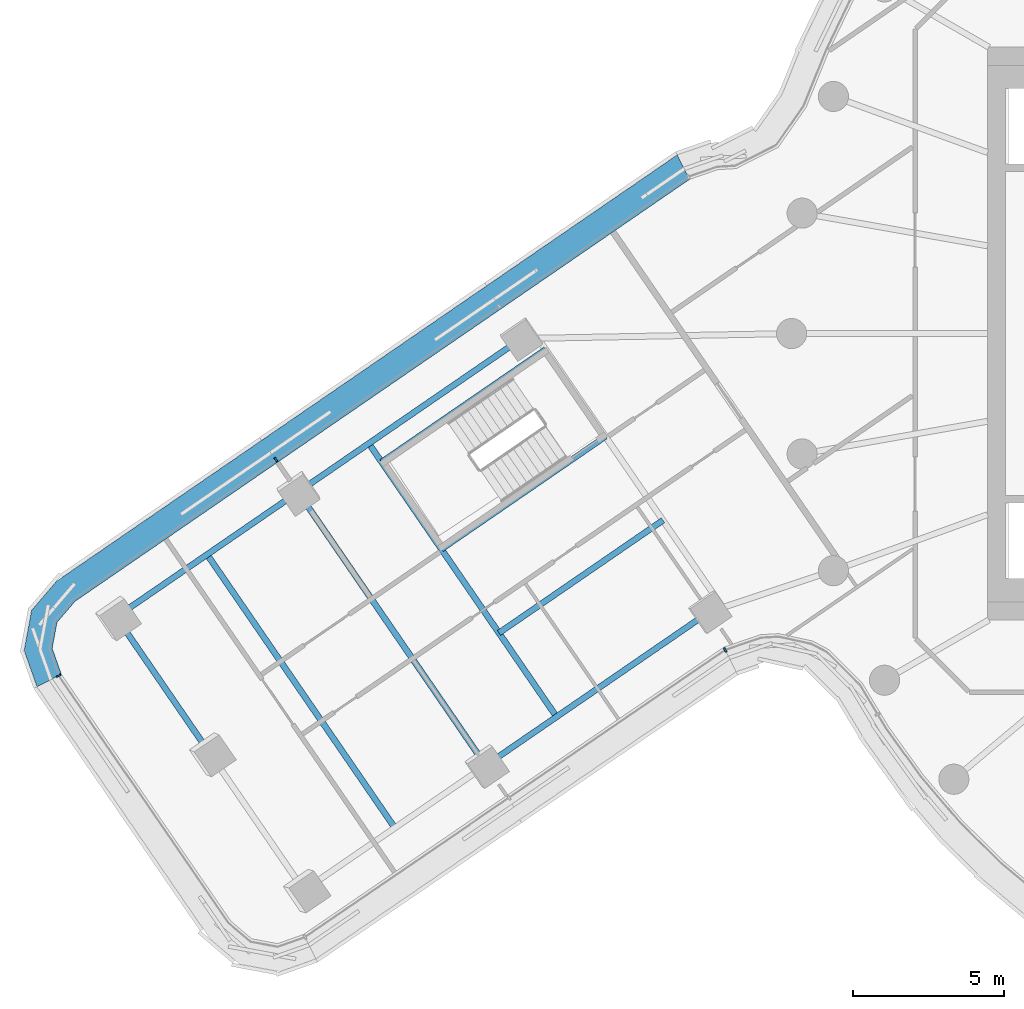
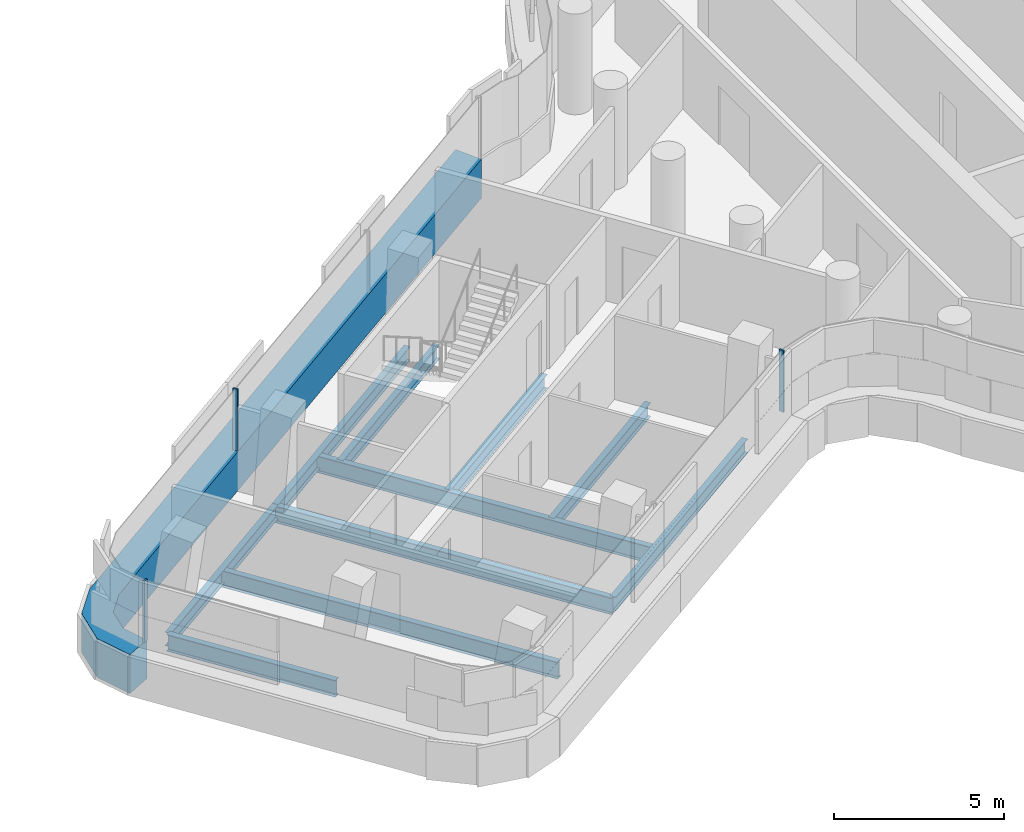
# One storey, part 8 of 33: 10 beams, 4 members, 3 elements without a shape of their own.
"""IFC4 building model written with IfcOpenShell, lengths in metres."""

from ifc_helpers import new_model, si_unit, direction, frame, origin, origin_2d, place, context, subcontext, project, spatial, polyline, rectangle, i_section, outline, extrude, material, layer, layer_set, material_profile, profile_set, type_object, element, aggregate, save


model = new_model("IFC4")

# Units and contexts
model_context = context("Model", 3, precision=1e-05, world=origin(), true_north=direction((0.0, 1.0)))
body_context = subcontext(model_context, "Body", "Model", "MODEL_VIEW")
ifc_project = project(units=[si_unit("LENGTHUNIT", "METRE"), si_unit("AREAUNIT", "SQUARE_METRE"), si_unit("VOLUMEUNIT", "CUBIC_METRE"), si_unit("PLANEANGLEUNIT", "RADIAN"), si_unit("MASSUNIT", "GRAM", prefix="KILO")], contexts=[model_context])

# Site, building, storey
site_placement = place(None, origin())
site = spatial("IfcSite", under=ifc_project, at=site_placement, CompositionType="ELEMENT")
building_placement = place(site_placement, origin())
building = spatial("IfcBuilding", under=site, at=building_placement, Name="Tamarind Cross Interchange Tower", CompositionType="ELEMENT")
storey_placement = place(building_placement, frame((0.0, 0.0, 159.25)))
storey = spatial("IfcBuildingStorey", under=building, at=storey_placement, Name="L39", CompositionType="ELEMENT", Elevation=159.25)

# Beams
ifc_material_1 = material(Name="Steel Q355B", Category="steel")
ifc_material_profile_1 = material_profile(ifc_material_1, i_section(OverallWidth=0.198974609375, OverallDepth=0.49609375, WebThickness=0.009033203125, FlangeThickness=0.013916015625, FilletRadius=0.012939453125, at=origin_2d()), Name="HN 496x199x9x14")
ifc_profile_set_1 = profile_set([ifc_material_profile_1], Name="Steel Q355B")
beam_type_1 = type_object("IfcBeamType", Name="Composite beam HN 496x199x9x14 Q355B", PredefinedType="BEAM", material=ifc_profile_set_1)
beam_1_placement = place(storey_placement, frame((-45.40576171875, -9.4013671875, -0.387939453125), z_axis=(0.824337792069, 0.566098228726, 0.0), x_axis=(-0.566098228726, 0.824337792069, 0.0)))
element("IfcBeam", 1, at=beam_1_placement, inside=storey, type_object=beam_type_1, Name="Beam W-edgeem5", PredefinedType="BEAM", context=body_context, shape_type="SweptSolid", body=[
    extrude(i_section(OverallWidth=0.198974609375, OverallDepth=0.49609375, WebThickness=0.009033203125, FlangeThickness=0.013916015625, FilletRadius=0.012939453125, at=origin_2d()), origin(), (0.0, 0.0, 1.0), 7.31640625),
])
beam_2_placement = place(storey_placement, frame((-39.37451171875, -5.259521484375, -0.387939453125), z_axis=(0.824342582244, 0.566091253332, 0.0), x_axis=(-0.566091253332, 0.824342582244, 0.0)))
element("IfcBeam", 2, at=beam_2_placement, inside=storey, type_object=beam_type_1, Name="Beam W-edgeem6", PredefinedType="BEAM", context=body_context, shape_type="SweptSolid", body=[
    extrude(i_section(OverallWidth=0.198974609375, OverallDepth=0.49609375, WebThickness=0.009033203125, FlangeThickness=0.013916015625, FilletRadius=0.012939453125, at=origin_2d()), origin(), (0.0, 0.0, 1.0), 8.999755859375),
])
beam_3_placement = place(storey_placement, frame((-33.1474609375, -14.327392578125, -0.387939453125), z_axis=(0.824329923221, 0.566109686972, 0.0), x_axis=(-0.566109686972, 0.824329923221, 0.0)))
element("IfcBeam", 3, at=beam_3_placement, inside=storey, type_object=beam_type_1, Name="Beam W-edgeep3", PredefinedType="BEAM", context=body_context, shape_type="SweptSolid", body=[
    extrude(i_section(OverallWidth=0.198974609375, OverallDepth=0.49609375, WebThickness=0.009033203125, FlangeThickness=0.013916015625, FilletRadius=0.012939453125, at=origin_2d()), origin(), (0.0, 0.0, 1.0), 9.0),
])
beam_4_placement = place(storey_placement, frame((-31.159912109375, -0.5283203125, -0.387939453125), z_axis=(-0.824351566529, -0.566078170186, 0.0), x_axis=(0.566078170186, -0.824351566529, 0.0)))
element("IfcBeam", 4, at=beam_4_placement, inside=storey, type_object=beam_type_1, Name="Beam W-tr0", PredefinedType="BEAM", context=body_context, shape_type="SweptSolid", body=[
    extrude(i_section(OverallWidth=0.198974609375, OverallDepth=0.49609375, WebThickness=0.009033203125, FlangeThickness=0.013916015625, FilletRadius=0.012939453125, at=origin_2d()), origin(), (0.0, 0.0, 1.0), 6.599853515625),
])
for number, where, z_axis, x_axis, name in (
    (5, (-29.1787109375, -3.413330078125, -0.387939453125), (-0.824334304603, -0.566103307052, 0.0), (0.566103307052, -0.824334304603, 0.0), "Beam W-tr1"),
    (6, (-27.26806640625, -6.195556640625, -0.387939453125), (-0.824334304603, -0.566103307052, 0.0), (0.566103307052, -0.824334304603, 0.0), "Beam W-stripp"),
):
    element("IfcBeam", number, at=place(storey_placement, frame(where, z_axis=z_axis, x_axis=x_axis)), inside=storey, type_object=beam_type_1, Name=name, PredefinedType="BEAM", context=body_context, shape_type="SweptSolid", body=[
        extrude(i_section(OverallWidth=0.198974609375, OverallDepth=0.49609375, WebThickness=0.009033203125, FlangeThickness=0.013916015625, FilletRadius=0.012939453125, at=origin_2d()), origin(), (0.0, 0.0, 1.0), 6.60009765625),
    ])
ifc_material_profile_2 = material_profile(ifc_material_1, i_section(OverallWidth=0.199951171875, OverallDepth=0.60009765625, WebThickness=0.010986328125, FlangeThickness=0.01708984375, FilletRadius=0.012939453125, at=origin_2d()), Name="HN 600x200x11x17")
ifc_profile_set_2 = profile_set([ifc_material_profile_2], Name="Steel Q355B")
beam_type_2 = type_object("IfcBeamType", Name="Composite beam HN 600x200x11x17 Q355B", PredefinedType="BEAM", material=ifc_profile_set_2)
beam_5_placement = place(storey_placement, frame((-45.40576171875, -9.4013671875, -0.43994140625), z_axis=(0.566089800125, -0.824343580186, 0.0), x_axis=(0.824343580186, 0.566089800125, 0.0)))
element("IfcBeam", 7, at=beam_5_placement, inside=storey, type_object=beam_type_2, Name="Beam W-tip0", PredefinedType="BEAM", context=body_context, shape_type="SweptSolid", body=[
    extrude(i_section(OverallWidth=0.199951171875, OverallDepth=0.60009765625, WebThickness=0.010986328125, FlangeThickness=0.01708984375, FilletRadius=0.012939453125, at=origin_2d()), origin(), (0.0, 0.0, 1.0), 5.5),
])
for number, where, z_axis, x_axis, name in (
    (8, (-37.025146484375, -3.646240234375, -0.43994140625), (0.566100157331, -0.824336467633, 0.0), (0.824336467633, 0.566100157331, 0.0), "Beam W-x364"),
    (9, (-39.37451171875, -5.259521484375, -0.43994140625), (0.566089800125, -0.824343580186, 0.0), (0.824343580186, 0.566089800125, 0.0), "Beam W-x393"),
    (10, (-42.39013671875, -7.33056640625, -0.43994140625), (0.566100157331, -0.824336467633, 0.0), (0.824336467633, 0.566100157331, 0.0), "Beam W-x430"),
):
    element("IfcBeam", number, at=place(storey_placement, frame(where, z_axis=z_axis, x_axis=x_axis)), inside=storey, type_object=beam_type_2, Name=name, PredefinedType="BEAM", context=body_context, shape_type="SweptSolid", body=[
        extrude(i_section(OverallWidth=0.199951171875, OverallDepth=0.60009765625, WebThickness=0.010986328125, FlangeThickness=0.01708984375, FilletRadius=0.012939453125, at=origin_2d()), origin(), (0.0, 0.0, 1.0), 11.0),
    ])

# Curtain wall, member
ifc_material_2 = material(Name="Aluminium 6063-T6", Category="aluminium")
ifc_layer = layer(ifc_material_2, 0.159912109375)
ifc_layer_set = layer_set([ifc_layer], Name="Aluminium 6063-T6")
curtain_wall_type = type_object("IfcCurtainWallType", Name="Office curtain wall, 9.0 m bays", PredefinedType="NOTDEFINED", material=ifc_layer_set)
curtain_wall_1_placement = place(storey_placement, origin())
curtain_wall_1 = element("IfcCurtainWall", 11, at=curtain_wall_1_placement, inside=storey, type_object=curtain_wall_type, Name="CWS-L39-15", PredefinedType="NOTDEFINED")
ifc_material_3 = material(Name="Aluminium and insulated spandrel panel", Category="aluminium")
member_type_1 = type_object("IfcMemberType", Name="Floor-edge blade transom", PredefinedType="USERDEFINED", material=ifc_material_3)
member_1_placement = place(storey_placement, origin())
member_1 = element("IfcMember", 12, at=member_1_placement, type_object=member_type_1, Name="CWT-L39-15", ObjectType="TRANSOM", PredefinedType="USERDEFINED", context=body_context, shape_type="SweptSolid", body=[
    extrude(outline(polyline([(-26.38671875, 5.115234375), (-46.77587890625, -8.886474609375), (-47.37060546875, -9.582275390625), (-47.5302734375, -10.442138671875), (-47.22509765625, -11.30517578125), (-48.0341796875, -11.717041015625), (-48.459228515625, -10.514892578125), (-48.21142578125, -9.180908203125), (-47.383056640625, -8.211669921875), (-26.795166015625, 5.926513671875), (-26.38671875, 5.115234375)])), origin(), (0.0, 0.0, 1.0), 1.39990234375),
])

curtain_wall_2_placement = place(storey_placement, origin())
curtain_wall_2 = element("IfcCurtainWall", 13, at=curtain_wall_2_placement, inside=storey, type_object=curtain_wall_type, Name="CWS-L39-00", PredefinedType="NOTDEFINED")
ifc_material_profile_3 = material_profile(ifc_material_2, rectangle(XDim=0.06005859375, YDim=0.159912109375, at=origin_2d()), Name="Mullion CW1")
ifc_profile_set_3 = profile_set([ifc_material_profile_3], Name="Aluminium 6063-T6")
member_type_2 = type_object("IfcMemberType", Name="Mullion CW1", PredefinedType="MULLION", material=ifc_profile_set_3)
member_2_placement = place(storey_placement, frame((-47.31494140625, -11.350830078125, 1.39990234375), z_axis=(0.0, 0.0, 1.0), x_axis=(0.45365456594, -0.891177611255, 0.0)))
member_2 = element("IfcMember", 14, at=member_2_placement, type_object=member_type_2, Name="CWM-L39-00-00", PredefinedType="MULLION", context=body_context, shape_type="SweptSolid", body=[
    extrude(rectangle(XDim=0.06005859375, YDim=0.159912109375, at=origin_2d()), origin(), (0.0, 0.0, 1.0), 2.210205078125),
])
aggregate(curtain_wall_2, [member_2])

curtain_wall_3_placement = place(storey_placement, origin())
curtain_wall_3 = element("IfcCurtainWall", 15, at=curtain_wall_3_placement, inside=storey, type_object=curtain_wall_type, Name="CWS-L39-02", PredefinedType="NOTDEFINED")
member_3_placement = place(storey_placement, frame((-25.204833984375, -10.494384765625, 1.39990234375), z_axis=(0.0, 0.0, 1.0), x_axis=(0.894086570017, 0.447894189864, 0.0)))
member_3 = element("IfcMember", 16, at=member_3_placement, type_object=member_type_2, Name="CWM-L39-02-00", PredefinedType="MULLION", context=body_context, shape_type="SweptSolid", body=[
    extrude(rectangle(XDim=0.06005859375, YDim=0.159912109375, at=origin_2d()), origin(), (0.0, 0.0, 1.0), 2.210205078125),
])
aggregate(curtain_wall_3, [member_3])

# Member
member_4_placement = place(storey_placement, frame((-40.103271484375, -4.18310546875, 1.39990234375), z_axis=(0.0, 0.0, 1.0), x_axis=(-0.824339660174, -0.566095508429, 0.0)))
member_4 = element("IfcMember", 17, at=member_4_placement, type_object=member_type_2, Name="CWM-L39-15-02", PredefinedType="MULLION", context=body_context, shape_type="SweptSolid", body=[
    extrude(rectangle(XDim=0.06005859375, YDim=0.159912109375, at=origin_2d()), origin(), (0.0, 0.0, 1.0), 2.210205078125),
])

aggregate(curtain_wall_1, [member_4, member_1])

save(model, "model.ifc")
